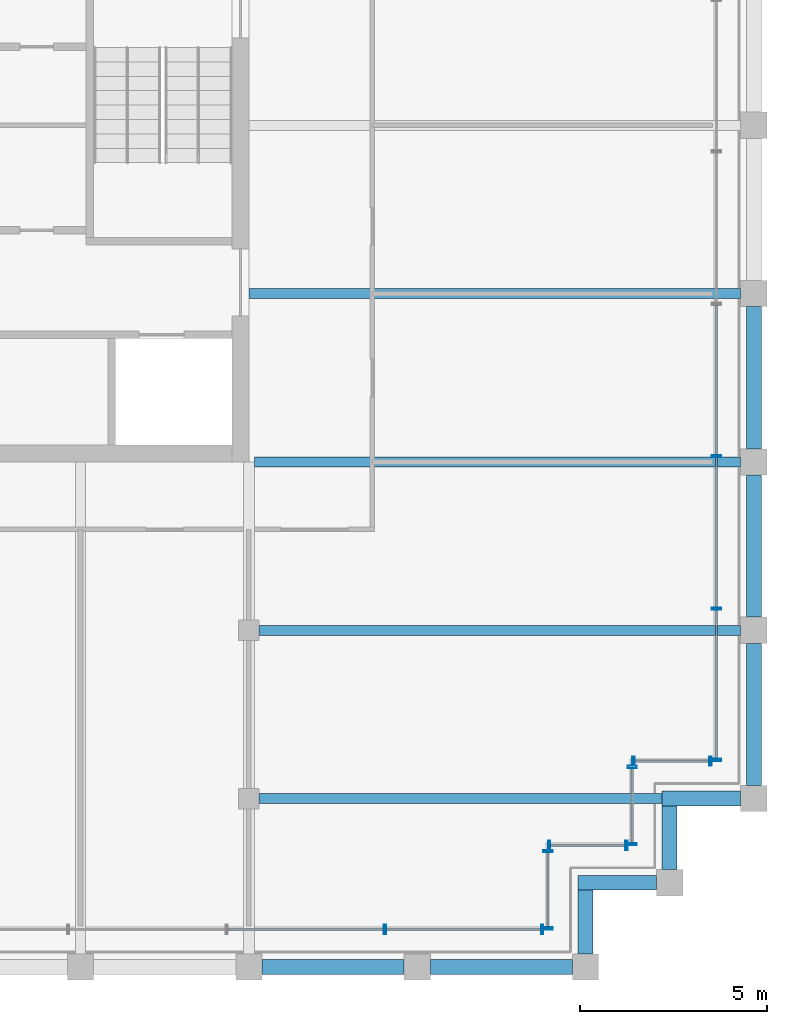
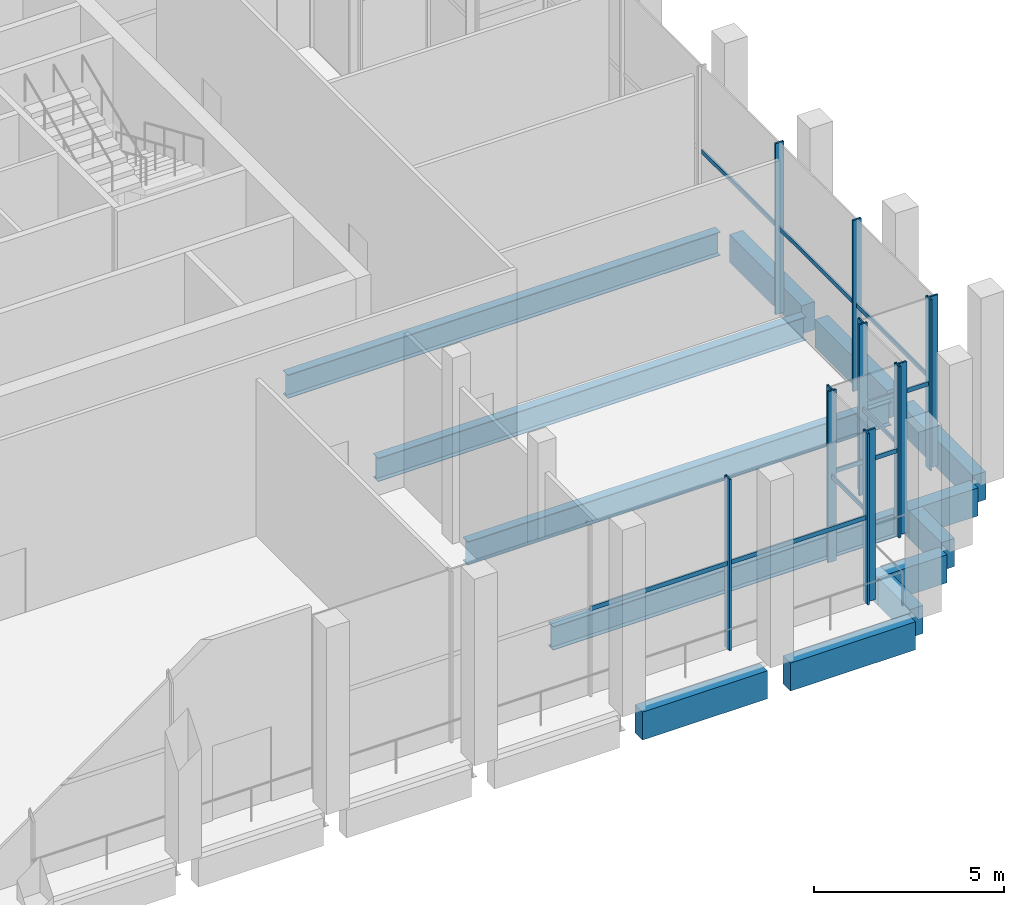
# One storey, part 8 of 15: 22 members, 13 beams, 6 elements without a shape of their own.
"""IFC4 building model written with IfcOpenShell, lengths in metres."""

from ifc_helpers import new_model, si_unit, direction, frame, origin, origin_2d, place, context, subcontext, project, spatial, rectangle, hollow_rectangle, i_section, extrude, material, material_profile, profile_set, type_object, element, aggregate, save


model = new_model("IFC4")

# Units and contexts
model_context = context("Model", 3, precision=1e-05, world=origin(), true_north=direction((0.0, 1.0)))
body_context = subcontext(model_context, "Body", "Model", "MODEL_VIEW")
ifc_project = project(units=[si_unit("LENGTHUNIT", "METRE"), si_unit("AREAUNIT", "SQUARE_METRE"), si_unit("VOLUMEUNIT", "CUBIC_METRE"), si_unit("PLANEANGLEUNIT", "RADIAN"), si_unit("MASSUNIT", "GRAM", prefix="KILO")], contexts=[model_context])

# Site, building, storey
site_placement = place(None, origin())
site = spatial("IfcSite", under=ifc_project, at=site_placement, CompositionType="ELEMENT")
building_placement = place(site_placement, origin())
building = spatial("IfcBuilding", under=site, at=building_placement, Name="Altepetl Exchange Towers", CompositionType="ELEMENT")
storey_placement = place(building_placement, frame((0.0, 0.0, 263.60009765625)))
storey = spatial("IfcBuildingStorey", under=building, at=storey_placement, Name="L67 Observation deck", CompositionType="ELEMENT", Elevation=263.60009765625)

# Beams
ifc_material_1 = material(Name="Steel S355", Category="steel")
ifc_material_profile_1 = material_profile(ifc_material_1, i_section(OverallWidth=0.26611328125, OverallDepth=0.758056640625, WebThickness=0.013916015625, FlangeThickness=0.019287109375, at=origin_2d()), Name="W30X108")
ifc_profile_set_1 = profile_set([ifc_material_profile_1], Name="Steel S355")
beam_type_1 = type_object("IfcBeamType", Name="Floor beam W30X108", PredefinedType="BEAM", material=ifc_profile_set_1)
beam_1_placement = place(storey_placement, frame((58.77490234375, 31.5, -0.55419921875), z_axis=(1.0, 0.0, 0.0), x_axis=(0.0, 1.0, 0.0)))
element("IfcBeam", 1, at=beam_1_placement, inside=storey, type_object=beam_type_1, Name="bm:A:L67:000", PredefinedType="BEAM", context=body_context, shape_type="SweptSolid", body=[
    extrude(i_section(OverallWidth=0.26611328125, OverallDepth=0.758056640625, WebThickness=0.013916015625, FlangeThickness=0.019287109375, at=origin_2d()), origin(), (0.0, 0.0, 1.0), 10.775146484375),
])
beam_2_placement = place(storey_placement, frame((58.77490234375, 36.0, -0.55419921875), z_axis=(1.0, 0.0, 0.0), x_axis=(0.0, 1.0, 0.0)))
element("IfcBeam", 2, at=beam_2_placement, inside=storey, type_object=beam_type_1, Name="bm:A:L67:001", PredefinedType="BEAM", context=body_context, shape_type="SweptSolid", body=[
    extrude(i_section(OverallWidth=0.26611328125, OverallDepth=0.758056640625, WebThickness=0.013916015625, FlangeThickness=0.019287109375, at=origin_2d()), origin(), (0.0, 0.0, 1.0), 12.875),
])
beam_3_placement = place(storey_placement, frame((58.64697265625, 40.5, -0.55419921875), z_axis=(1.0, 0.0, 0.0), x_axis=(0.0, 1.0, 0.0)))
element("IfcBeam", 3, at=beam_3_placement, inside=storey, type_object=beam_type_1, Name="bm:A:L67:002", PredefinedType="BEAM", context=body_context, shape_type="SweptSolid", body=[
    extrude(i_section(OverallWidth=0.26611328125, OverallDepth=0.758056640625, WebThickness=0.013916015625, FlangeThickness=0.019287109375, at=origin_2d()), origin(), (0.0, 0.0, 1.0), 13.0029296875),
])
beam_4_placement = place(storey_placement, frame((58.5, 45.0, -0.55419921875), z_axis=(1.0, 0.0, 0.0), x_axis=(0.0, 1.0, 0.0)))
element("IfcBeam", 4, at=beam_4_placement, inside=storey, type_object=beam_type_1, Name="bm:A:L67:003", PredefinedType="BEAM", context=body_context, shape_type="SweptSolid", body=[
    extrude(i_section(OverallWidth=0.26611328125, OverallDepth=0.758056640625, WebThickness=0.013916015625, FlangeThickness=0.019287109375, at=origin_2d()), origin(), (0.0, 0.0, 1.0), 13.14990234375),
])

# Curtain wall, members
ifc_material_2 = material(Name="Aluminium 6063-T6 glazing", Category="aluminium")
curtain_wall_type = type_object("IfcCurtainWallType", Name="Executive flush glazing system", PredefinedType="NOTDEFINED", material=ifc_material_2)
curtain_wall_1_placement = place(storey_placement, origin())
curtain_wall_1 = element("IfcCurtainWall", 5, at=curtain_wall_1_placement, inside=storey, type_object=curtain_wall_type, Name="CW4 run", PredefinedType="NOTDEFINED")
ifc_material_3 = material(Name="Aluminium 6063-T6", Category="aluminium")
ifc_material_profile_2 = material_profile(ifc_material_3, hollow_rectangle(XDim=0.06005859375, YDim=0.25, WallThickness=0.0029296875, at=origin_2d()), Name="Mullion 60x250 hollow aluminium")
ifc_profile_set_2 = profile_set([ifc_material_profile_2], Name="Aluminium 6063-T6")
member_type_1 = type_object("IfcMemberType", Name="Mullion 60x250 hollow aluminium", PredefinedType="MULLION", material=ifc_profile_set_2)
member_1_placement = place(storey_placement, frame((62.140625, 28.0, 0.0)))
member_1 = element("IfcMember", 6, at=member_1_placement, type_object=member_type_1, Name="MU3 mullion", PredefinedType="MULLION", context=body_context, shape_type="SweptSolid", body=[
    extrude(hollow_rectangle(XDim=0.06005859375, YDim=0.25, WallThickness=0.0029296875, at=origin_2d()), origin(), (0.0, 0.0, 1.0), 5.5),
])
member_2_placement = place(storey_placement, frame((66.344970703125, 28.0, 0.0)))
member_2 = element("IfcMember", 7, at=member_2_placement, type_object=member_type_1, Name="MU3 mullion", PredefinedType="MULLION", context=body_context, shape_type="SweptSolid", body=[
    extrude(hollow_rectangle(XDim=0.06005859375, YDim=0.25, WallThickness=0.0029296875, at=origin_2d()), origin(), (0.0, 0.0, 1.0), 5.5),
])

curtain_wall_2_placement = place(storey_placement, origin())
curtain_wall_2 = element("IfcCurtainWall", 8, at=curtain_wall_2_placement, inside=storey, type_object=curtain_wall_type, Name="CW4 run", PredefinedType="NOTDEFINED")
member_3_placement = place(storey_placement, frame((66.5, 28.030029296875, 0.0), z_axis=(0.0, 0.0, 1.0), x_axis=(0.0, 1.0, 0.0)))
member_3 = element("IfcMember", 9, at=member_3_placement, type_object=member_type_1, Name="MU3 mullion", PredefinedType="MULLION", context=body_context, shape_type="SweptSolid", body=[
    extrude(hollow_rectangle(XDim=0.06005859375, YDim=0.25, WallThickness=0.0029296875, at=origin_2d()), origin(), (0.0, 0.0, 1.0), 5.5),
])
member_4_placement = place(storey_placement, frame((66.5, 30.094970703125, 0.0), z_axis=(0.0, 0.0, 1.0), x_axis=(0.0, 1.0, 0.0)))
member_4 = element("IfcMember", 10, at=member_4_placement, type_object=member_type_1, Name="MU3 mullion", PredefinedType="MULLION", context=body_context, shape_type="SweptSolid", body=[
    extrude(hollow_rectangle(XDim=0.06005859375, YDim=0.25, WallThickness=0.0029296875, at=origin_2d()), origin(), (0.0, 0.0, 1.0), 5.5),
])

curtain_wall_3_placement = place(storey_placement, origin())
curtain_wall_3 = element("IfcCurtainWall", 11, at=curtain_wall_3_placement, inside=storey, type_object=curtain_wall_type, Name="CW4 run", PredefinedType="NOTDEFINED")
member_5_placement = place(storey_placement, frame((66.530029296875, 30.25, 0.0)))
member_5 = element("IfcMember", 12, at=member_5_placement, type_object=member_type_1, Name="MU3 mullion", PredefinedType="MULLION", context=body_context, shape_type="SweptSolid", body=[
    extrude(hollow_rectangle(XDim=0.06005859375, YDim=0.25, WallThickness=0.0029296875, at=origin_2d()), origin(), (0.0, 0.0, 1.0), 5.5),
])
member_6_placement = place(storey_placement, frame((68.594970703125, 30.25, 0.0)))
member_6 = element("IfcMember", 13, at=member_6_placement, type_object=member_type_1, Name="MU3 mullion", PredefinedType="MULLION", context=body_context, shape_type="SweptSolid", body=[
    extrude(hollow_rectangle(XDim=0.06005859375, YDim=0.25, WallThickness=0.0029296875, at=origin_2d()), origin(), (0.0, 0.0, 1.0), 5.5),
])

curtain_wall_4_placement = place(storey_placement, origin())
curtain_wall_4 = element("IfcCurtainWall", 14, at=curtain_wall_4_placement, inside=storey, type_object=curtain_wall_type, Name="CW4 run", PredefinedType="NOTDEFINED")
member_7_placement = place(storey_placement, frame((68.75, 30.280029296875, 0.0), z_axis=(0.0, 0.0, 1.0), x_axis=(0.0, 1.0, 0.0)))
member_7 = element("IfcMember", 15, at=member_7_placement, type_object=member_type_1, Name="MU3 mullion", PredefinedType="MULLION", context=body_context, shape_type="SweptSolid", body=[
    extrude(hollow_rectangle(XDim=0.06005859375, YDim=0.25, WallThickness=0.0029296875, at=origin_2d()), origin(), (0.0, 0.0, 1.0), 5.5),
])
member_8_placement = place(storey_placement, frame((68.75, 32.344970703125, 0.0), z_axis=(0.0, 0.0, 1.0), x_axis=(0.0, 1.0, 0.0)))
member_8 = element("IfcMember", 16, at=member_8_placement, type_object=member_type_1, Name="MU3 mullion", PredefinedType="MULLION", context=body_context, shape_type="SweptSolid", body=[
    extrude(hollow_rectangle(XDim=0.06005859375, YDim=0.25, WallThickness=0.0029296875, at=origin_2d()), origin(), (0.0, 0.0, 1.0), 5.5),
])

curtain_wall_5_placement = place(storey_placement, origin())
curtain_wall_5 = element("IfcCurtainWall", 17, at=curtain_wall_5_placement, inside=storey, type_object=curtain_wall_type, Name="CW4 run", PredefinedType="NOTDEFINED")
member_9_placement = place(storey_placement, frame((68.780029296875, 32.5, 0.0)))
member_9 = element("IfcMember", 18, at=member_9_placement, type_object=member_type_1, Name="MU3 mullion", PredefinedType="MULLION", context=body_context, shape_type="SweptSolid", body=[
    extrude(hollow_rectangle(XDim=0.06005859375, YDim=0.25, WallThickness=0.0029296875, at=origin_2d()), origin(), (0.0, 0.0, 1.0), 5.5),
])
member_10_placement = place(storey_placement, frame((70.844970703125, 32.5, 0.0)))
member_10 = element("IfcMember", 19, at=member_10_placement, type_object=member_type_1, Name="MU3 mullion", PredefinedType="MULLION", context=body_context, shape_type="SweptSolid", body=[
    extrude(hollow_rectangle(XDim=0.06005859375, YDim=0.25, WallThickness=0.0029296875, at=origin_2d()), origin(), (0.0, 0.0, 1.0), 5.5),
])

curtain_wall_6_placement = place(storey_placement, origin())
curtain_wall_6 = element("IfcCurtainWall", 20, at=curtain_wall_6_placement, inside=storey, type_object=curtain_wall_type, Name="CW4 run", PredefinedType="NOTDEFINED")
member_11_placement = place(storey_placement, frame((71.0, 32.530029296875, 0.0), z_axis=(0.0, 0.0, 1.0), x_axis=(0.0, 1.0, 0.0)))
member_11 = element("IfcMember", 21, at=member_11_placement, type_object=member_type_1, Name="MU3 mullion", PredefinedType="MULLION", context=body_context, shape_type="SweptSolid", body=[
    extrude(hollow_rectangle(XDim=0.06005859375, YDim=0.25, WallThickness=0.0029296875, at=origin_2d()), origin(), (0.0, 0.0, 1.0), 5.5),
])
member_12_placement = place(storey_placement, frame((71.0, 36.574951171875, 0.0), z_axis=(0.0, 0.0, 1.0), x_axis=(0.0, 1.0, 0.0)))
member_12 = element("IfcMember", 22, at=member_12_placement, type_object=member_type_1, Name="MU3 mullion", PredefinedType="MULLION", context=body_context, shape_type="SweptSolid", body=[
    extrude(hollow_rectangle(XDim=0.06005859375, YDim=0.25, WallThickness=0.0029296875, at=origin_2d()), origin(), (0.0, 0.0, 1.0), 5.5),
])
member_13_placement = place(storey_placement, frame((71.0, 40.64990234375, 0.0), z_axis=(0.0, 0.0, 1.0), x_axis=(0.0, 1.0, 0.0)))
member_13 = element("IfcMember", 23, at=member_13_placement, type_object=member_type_1, Name="MU3 mullion", PredefinedType="MULLION", context=body_context, shape_type="SweptSolid", body=[
    extrude(hollow_rectangle(XDim=0.06005859375, YDim=0.25, WallThickness=0.0029296875, at=origin_2d()), origin(), (0.0, 0.0, 1.0), 5.5),
])

# Beams
ifc_material_4 = material(Name="Concrete C50/60 precast with cantera amarilla facing", Category="concrete")
ifc_material_profile_3 = material_profile(ifc_material_4, rectangle(XDim=0.39990234375, YDim=0.89990234375, at=origin_2d()), Name="400 x 900")
ifc_profile_set_3 = profile_set([ifc_material_profile_3], Name="Concrete C50/60 precast with cantera amarilla facing")
beam_type_2 = type_object("IfcBeamType", Name="Spandrel beam 400x900 cantera amarilla", PredefinedType="SPANDREL", material=ifc_profile_set_3)
for number, where, z_axis, x_axis, name in (
    (24, (58.85009765625, 27.0, -0.625), (1.0, 0.0, 0.0), (0.0, 1.0, 0.0), "sp:A:L67:006"),
    (25, (63.35009765625, 27.0, -0.625), (1.0, 0.0, 0.0), (0.0, 1.0, 0.0), "sp:A:L67:007"),
):
    element("IfcBeam", number, at=place(storey_placement, frame(where, z_axis=z_axis, x_axis=x_axis)), inside=storey, type_object=beam_type_2, Name=name, PredefinedType="SPANDREL", context=body_context, shape_type="SweptSolid", body=[
        extrude(rectangle(XDim=0.39990234375, YDim=0.89990234375, at=origin_2d()), origin(), (0.0, 0.0, 1.0), 3.7998046875),
    ])
beam_5_placement = place(storey_placement, frame((67.5, 27.35009765625, -0.625), z_axis=(0.0, 1.0, 0.0), x_axis=(-1.0, 0.0, 0.0)))
element("IfcBeam", 26, at=beam_5_placement, inside=storey, type_object=beam_type_2, Name="sp:A:L67:008", PredefinedType="SPANDREL", context=body_context, shape_type="SweptSolid", body=[
    extrude(rectangle(XDim=0.39990234375, YDim=0.89990234375, at=origin_2d()), origin(), (0.0, 0.0, 1.0), 1.699951171875),
])
beam_6_placement = place(storey_placement, frame((67.300048828125, 29.25, -0.625), z_axis=(1.0, 0.0, 0.0), x_axis=(0.0, 1.0, 0.0)))
element("IfcBeam", 27, at=beam_6_placement, inside=storey, type_object=beam_type_2, Name="sp:A:L67:009", PredefinedType="SPANDREL", context=body_context, shape_type="SweptSolid", body=[
    extrude(rectangle(XDim=0.39990234375, YDim=0.89990234375, at=origin_2d()), origin(), (0.0, 0.0, 1.0), 2.099853515625),
])
beam_7_placement = place(storey_placement, frame((69.75, 29.60009765625, -0.625), z_axis=(0.0, 1.0, 0.0), x_axis=(-1.0, 0.0, 0.0)))
element("IfcBeam", 28, at=beam_7_placement, inside=storey, type_object=beam_type_2, Name="sp:A:L67:010", PredefinedType="SPANDREL", context=body_context, shape_type="SweptSolid", body=[
    extrude(rectangle(XDim=0.39990234375, YDim=0.89990234375, at=origin_2d()), origin(), (0.0, 0.0, 1.0), 1.699951171875),
])
beam_8_placement = place(storey_placement, frame((69.550048828125, 31.5, -0.625), z_axis=(1.0, 0.0, 0.0), x_axis=(0.0, 1.0, 0.0)))
element("IfcBeam", 29, at=beam_8_placement, inside=storey, type_object=beam_type_2, Name="sp:A:L67:011", PredefinedType="SPANDREL", context=body_context, shape_type="SweptSolid", body=[
    extrude(rectangle(XDim=0.39990234375, YDim=0.89990234375, at=origin_2d()), origin(), (0.0, 0.0, 1.0), 2.099853515625),
])
for number, where, z_axis, x_axis, name in (
    (30, (72.0, 31.85009765625, -0.625), (0.0, 1.0, 0.0), (-1.0, 0.0, 0.0), "sp:A:L67:012"),
    (31, (72.0, 36.35009765625, -0.625), (0.0, 1.0, 0.0), (-1.0, 0.0, 0.0), "sp:A:L67:013"),
    (32, (72.0, 40.85009765625, -0.625), (0.0, 1.0, 0.0), (-1.0, 0.0, 0.0), "sp:A:L67:014"),
):
    element("IfcBeam", number, at=place(storey_placement, frame(where, z_axis=z_axis, x_axis=x_axis)), inside=storey, type_object=beam_type_2, Name=name, PredefinedType="SPANDREL", context=body_context, shape_type="SweptSolid", body=[
        extrude(rectangle(XDim=0.39990234375, YDim=0.89990234375, at=origin_2d()), origin(), (0.0, 0.0, 1.0), 3.7998046875),
    ])

# Member
ifc_material_profile_4 = material_profile(ifc_material_3, hollow_rectangle(XDim=0.050048828125, YDim=0.139892578125, WallThickness=0.0029296875, at=origin_2d()), Name="Transom 50x140 hollow aluminium")
ifc_profile_set_4 = profile_set([ifc_material_profile_4], Name="Aluminium 6063-T6")
member_type_2 = type_object("IfcMemberType", Name="Transom 50x140 hollow aluminium", PredefinedType="USERDEFINED", material=ifc_profile_set_4)
member_14_placement = place(storey_placement, frame((57.936279296875, 28.0, 2.75), z_axis=(1.0, 0.0, 0.0), x_axis=(0.0, 1.0, 0.0)))
member_14 = element("IfcMember", 33, at=member_14_placement, type_object=member_type_2, Name="TR2 transom", ObjectType="TRANSOM", PredefinedType="USERDEFINED", context=body_context, shape_type="SweptSolid", body=[
    extrude(hollow_rectangle(XDim=0.050048828125, YDim=0.139892578125, WallThickness=0.0029296875, at=origin_2d()), origin(), (0.0, 0.0, 1.0), 4.17431640625),
])

member_15_placement = place(storey_placement, frame((62.170654296875, 28.0, 2.75), z_axis=(1.0, 0.0, 0.0), x_axis=(0.0, 1.0, 0.0)))
member_15 = element("IfcMember", 34, at=member_15_placement, type_object=member_type_2, Name="TR2 transom", ObjectType="TRANSOM", PredefinedType="USERDEFINED", context=body_context, shape_type="SweptSolid", body=[
    extrude(hollow_rectangle(XDim=0.050048828125, YDim=0.139892578125, WallThickness=0.0029296875, at=origin_2d()), origin(), (0.0, 0.0, 1.0), 4.144287109375),
])

aggregate(curtain_wall_1, [member_1, member_2, member_14, member_15])

member_16_placement = place(storey_placement, frame((66.5, 28.06005859375, 2.75), z_axis=(0.0, 1.0, 0.0), x_axis=(-1.0, 0.0, 0.0)))
member_16 = element("IfcMember", 35, at=member_16_placement, type_object=member_type_2, Name="TR2 transom", ObjectType="TRANSOM", PredefinedType="USERDEFINED", context=body_context, shape_type="SweptSolid", body=[
    extrude(hollow_rectangle(XDim=0.050048828125, YDim=0.139892578125, WallThickness=0.0029296875, at=origin_2d()), origin(), (0.0, 0.0, 1.0), 2.0048828125),
])

aggregate(curtain_wall_2, [member_3, member_4, member_16])

member_17_placement = place(storey_placement, frame((66.56005859375, 30.25, 2.75), z_axis=(1.0, 0.0, 0.0), x_axis=(0.0, 1.0, 0.0)))
member_17 = element("IfcMember", 36, at=member_17_placement, type_object=member_type_2, Name="TR2 transom", ObjectType="TRANSOM", PredefinedType="USERDEFINED", context=body_context, shape_type="SweptSolid", body=[
    extrude(hollow_rectangle(XDim=0.050048828125, YDim=0.139892578125, WallThickness=0.0029296875, at=origin_2d()), origin(), (0.0, 0.0, 1.0), 2.0048828125),
])

aggregate(curtain_wall_3, [member_5, member_6, member_17])

member_18_placement = place(storey_placement, frame((68.75, 30.31005859375, 2.75), z_axis=(0.0, 1.0, 0.0), x_axis=(-1.0, 0.0, 0.0)))
member_18 = element("IfcMember", 37, at=member_18_placement, type_object=member_type_2, Name="TR2 transom", ObjectType="TRANSOM", PredefinedType="USERDEFINED", context=body_context, shape_type="SweptSolid", body=[
    extrude(hollow_rectangle(XDim=0.050048828125, YDim=0.139892578125, WallThickness=0.0029296875, at=origin_2d()), origin(), (0.0, 0.0, 1.0), 2.0048828125),
])

aggregate(curtain_wall_4, [member_7, member_8, member_18])

member_19_placement = place(storey_placement, frame((68.81005859375, 32.5, 2.75), z_axis=(1.0, 0.0, 0.0), x_axis=(0.0, 1.0, 0.0)))
member_19 = element("IfcMember", 38, at=member_19_placement, type_object=member_type_2, Name="TR2 transom", ObjectType="TRANSOM", PredefinedType="USERDEFINED", context=body_context, shape_type="SweptSolid", body=[
    extrude(hollow_rectangle(XDim=0.050048828125, YDim=0.139892578125, WallThickness=0.0029296875, at=origin_2d()), origin(), (0.0, 0.0, 1.0), 2.0048828125),
])

aggregate(curtain_wall_5, [member_9, member_10, member_19])

member_20_placement = place(storey_placement, frame((71.0, 32.56005859375, 2.75), z_axis=(0.0, 1.0, 0.0), x_axis=(-1.0, 0.0, 0.0)))
member_20 = element("IfcMember", 39, at=member_20_placement, type_object=member_type_2, Name="TR2 transom", ObjectType="TRANSOM", PredefinedType="USERDEFINED", context=body_context, shape_type="SweptSolid", body=[
    extrude(hollow_rectangle(XDim=0.050048828125, YDim=0.139892578125, WallThickness=0.0029296875, at=origin_2d()), origin(), (0.0, 0.0, 1.0), 3.98486328125),
])

member_21_placement = place(storey_placement, frame((71.0, 36.60498046875, 2.75), z_axis=(0.0, 1.0, 0.0), x_axis=(-1.0, 0.0, 0.0)))
member_21 = element("IfcMember", 40, at=member_21_placement, type_object=member_type_2, Name="TR2 transom", ObjectType="TRANSOM", PredefinedType="USERDEFINED", context=body_context, shape_type="SweptSolid", body=[
    extrude(hollow_rectangle(XDim=0.050048828125, YDim=0.139892578125, WallThickness=0.0029296875, at=origin_2d()), origin(), (0.0, 0.0, 1.0), 4.01513671875),
])

member_22_placement = place(storey_placement, frame((71.0, 40.679931640625, 2.75), z_axis=(0.0, 1.0, 0.0), x_axis=(-1.0, 0.0, 0.0)))
member_22 = element("IfcMember", 41, at=member_22_placement, type_object=member_type_2, Name="TR2 transom", ObjectType="TRANSOM", PredefinedType="USERDEFINED", context=body_context, shape_type="SweptSolid", body=[
    extrude(hollow_rectangle(XDim=0.050048828125, YDim=0.139892578125, WallThickness=0.0029296875, at=origin_2d()), origin(), (0.0, 0.0, 1.0), 4.01513671875),
])

aggregate(curtain_wall_6, [member_11, member_12, member_13, member_20, member_21, member_22])

save(model, "model.ifc")
